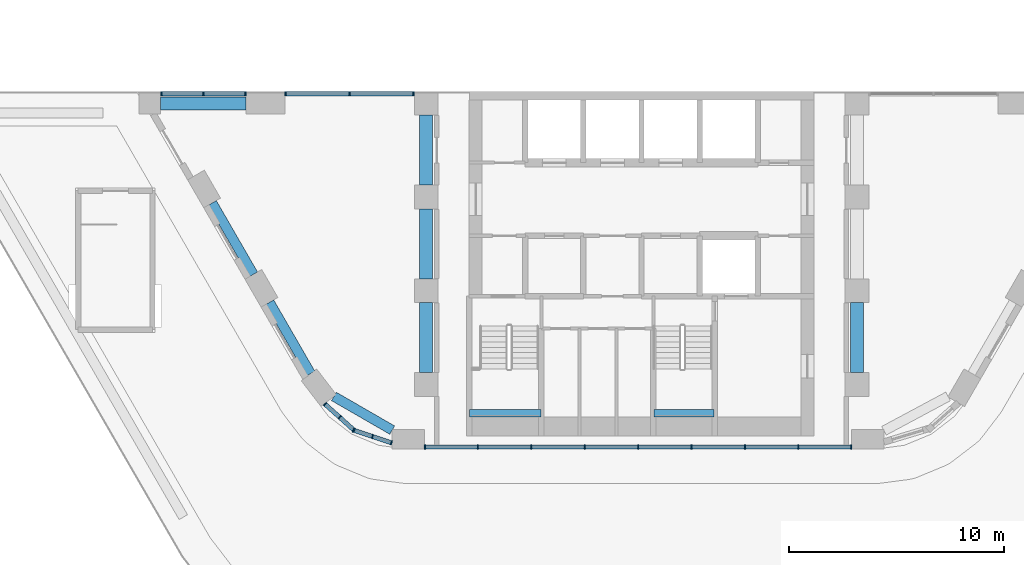
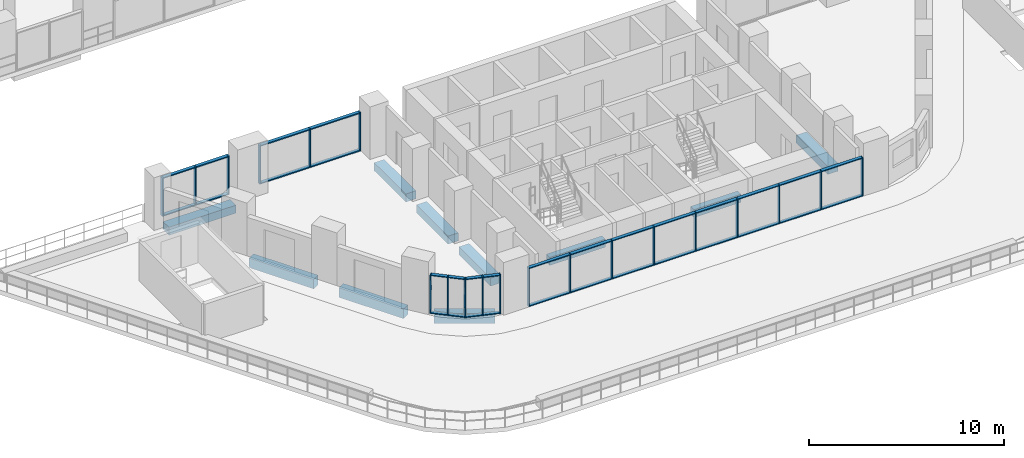
# One storey, part 2 of 24: 53 members, 10 beams, 5 elements without a shape of their own.
"""IFC4 building model written with IfcOpenShell, lengths in metres."""

from ifc_helpers import new_model, si_unit, direction, frame, origin, origin_2d, place, context, subcontext, project, spatial, rectangle, extrude, material, layer, layer_set, material_profile, profile_set, type_object, element, aggregate, save


model = new_model("IFC4")

# Units and contexts
model_context = context("Model", 3, precision=1e-05, world=origin(), true_north=direction((0.0, 1.0)))
body_context = subcontext(model_context, "Body", "Model", "MODEL_VIEW")
ifc_project = project(units=[si_unit("LENGTHUNIT", "METRE"), si_unit("AREAUNIT", "SQUARE_METRE"), si_unit("VOLUMEUNIT", "CUBIC_METRE"), si_unit("PLANEANGLEUNIT", "RADIAN"), si_unit("MASSUNIT", "GRAM", prefix="KILO")], contexts=[model_context])

# Site, building, storey
site_placement = place(None, origin())
site = spatial("IfcSite", under=ifc_project, at=site_placement, CompositionType="ELEMENT")
building_placement = place(site_placement, origin())
building = spatial("IfcBuilding", under=site, at=building_placement, Name="Nakaniwa Court", CompositionType="ELEMENT")
storey_placement = place(building_placement, frame((0.0, 0.0, 28.199951171875)))
storey = spatial("IfcBuildingStorey", under=building, at=storey_placement, Name="L06", CompositionType="ELEMENT", Elevation=28.199951171875)

# Curtain wall, members
ifc_material_1 = material(Name="Black anodised aluminium frame with dark low-E laminated double glazing", Category="aluminium")
ifc_layer_1 = layer(ifc_material_1, 0.199951171875)
ifc_layer_set_1 = layer_set([ifc_layer_1], Name="Black anodised aluminium frame with dark low-E laminated double glazing")
curtain_wall_type_1 = type_object("IfcCurtainWallType", Name="Amenity and sky level curtain wall", PredefinedType="NOTDEFINED", material=ifc_layer_set_1)
curtain_wall_1_placement = place(storey_placement, origin())
curtain_wall_1 = element("IfcCurtainWall", 1, at=curtain_wall_1_placement, inside=storey, type_object=curtain_wall_type_1, Name="L06 curtain wall CW3 09", PredefinedType="NOTDEFINED")
ifc_material_2 = material(Name="Black anodised aluminium extrusion", Category="aluminium")
ifc_material_profile_1 = material_profile(ifc_material_2, rectangle(XDim=0.199951171875, YDim=0.054931640625, at=origin_2d()), Name="Amenity and sky level curtain wall mullion 55x200")
ifc_profile_set_1 = profile_set([ifc_material_profile_1], Name="Black anodised aluminium extrusion")
member_type_1 = type_object("IfcMemberType", Name="Amenity and sky level curtain wall mullion 55x200", PredefinedType="MULLION", material=ifc_profile_set_1)
member_1_placement = place(storey_placement, frame((65.307373046875, 58.0869140625, 0.0), z_axis=(0.0, 0.0, 1.0), x_axis=(0.668652825377, 0.743574743463, 0.0)))
member_1 = element("IfcMember", 2, at=member_1_placement, type_object=member_type_1, Name="CW3 mullion 1", PredefinedType="MULLION", context=body_context, shape_type="SweptSolid", body=[
    extrude(rectangle(XDim=0.199951171875, YDim=0.054931640625, at=origin_2d()), origin(), (0.0, 0.0, 1.0), 2.425048828125),
])
member_2_placement = place(storey_placement, frame((65.985107421875, 57.4775390625, 0.0), z_axis=(0.0, 0.0, 1.0), x_axis=(0.668652825377, 0.743574743463, 0.0)))
member_2 = element("IfcMember", 3, at=member_2_placement, type_object=member_type_1, Name="CW3 mullion 2", PredefinedType="MULLION", context=body_context, shape_type="SweptSolid", body=[
    extrude(rectangle(XDim=0.199951171875, YDim=0.054931640625, at=origin_2d()), origin(), (0.0, 0.0, 1.0), 2.425048828125),
])
member_3_placement = place(storey_placement, frame((66.662841796875, 56.867919921875, 0.0), z_axis=(0.0, 0.0, 1.0), x_axis=(0.668652825377, 0.743574743463, 0.0)))
member_3 = element("IfcMember", 4, at=member_3_placement, type_object=member_type_1, Name="CW3 mullion 3", PredefinedType="MULLION", context=body_context, shape_type="SweptSolid", body=[
    extrude(rectangle(XDim=0.199951171875, YDim=0.054931640625, at=origin_2d()), origin(), (0.0, 0.0, 1.0), 2.425048828125),
])

curtain_wall_2_placement = place(storey_placement, origin())
curtain_wall_2 = element("IfcCurtainWall", 5, at=curtain_wall_2_placement, inside=storey, type_object=curtain_wall_type_1, Name="L06 curtain wall CW3 10", PredefinedType="NOTDEFINED")
member_4_placement = place(storey_placement, frame((66.634521484375, 56.876708984375, 0.0), z_axis=(0.0, 0.0, 1.0), x_axis=(0.314476047939, 0.949265408236, 0.0)))
member_4 = element("IfcMember", 6, at=member_4_placement, type_object=member_type_1, Name="CW3 mullion 1", PredefinedType="MULLION", context=body_context, shape_type="SweptSolid", body=[
    extrude(rectangle(XDim=0.199951171875, YDim=0.054931640625, at=origin_2d()), origin(), (0.0, 0.0, 1.0), 2.425048828125),
])
member_5_placement = place(storey_placement, frame((67.5107421875, 56.586181640625, 0.0), z_axis=(0.0, 0.0, 1.0), x_axis=(0.314476047939, 0.949265408236, 0.0)))
member_5 = element("IfcMember", 7, at=member_5_placement, type_object=member_type_1, Name="CW3 mullion 2", PredefinedType="MULLION", context=body_context, shape_type="SweptSolid", body=[
    extrude(rectangle(XDim=0.199951171875, YDim=0.054931640625, at=origin_2d()), origin(), (0.0, 0.0, 1.0), 2.425048828125),
])
member_6_placement = place(storey_placement, frame((68.38720703125, 56.2958984375, 0.0), z_axis=(0.0, 0.0, 1.0), x_axis=(0.314476047939, 0.949265408236, 0.0)))
member_6 = element("IfcMember", 8, at=member_6_placement, type_object=member_type_1, Name="CW3 mullion 3", PredefinedType="MULLION", context=body_context, shape_type="SweptSolid", body=[
    extrude(rectangle(XDim=0.199951171875, YDim=0.054931640625, at=origin_2d()), origin(), (0.0, 0.0, 1.0), 2.425048828125),
])

curtain_wall_3_placement = place(storey_placement, origin())
curtain_wall_3 = element("IfcCurtainWall", 9, at=curtain_wall_3_placement, inside=storey, type_object=curtain_wall_type_1, Name="L06 curtain wall CW3 11", PredefinedType="NOTDEFINED")
member_7_placement = place(storey_placement, frame((69.94873046875, 56.10009765625, 0.0), z_axis=(0.0, 0.0, 1.0), x_axis=(0.0, 1.0, 0.0)))
member_7 = element("IfcMember", 10, at=member_7_placement, type_object=member_type_1, Name="CW3 mullion 1", PredefinedType="MULLION", context=body_context, shape_type="SweptSolid", body=[
    extrude(rectangle(XDim=0.199951171875, YDim=0.054931640625, at=origin_2d()), origin(), (0.0, 0.0, 1.0), 2.425048828125),
])
member_8_placement = place(storey_placement, frame((72.4013671875, 56.10009765625, 0.0), z_axis=(0.0, 0.0, 1.0), x_axis=(0.0, 1.0, 0.0)))
member_8 = element("IfcMember", 11, at=member_8_placement, type_object=member_type_1, Name="CW3 mullion 2", PredefinedType="MULLION", context=body_context, shape_type="SweptSolid", body=[
    extrude(rectangle(XDim=0.199951171875, YDim=0.054931640625, at=origin_2d()), origin(), (0.0, 0.0, 1.0), 2.425048828125),
])
member_9_placement = place(storey_placement, frame((74.88134765625, 56.10009765625, 0.0), z_axis=(0.0, 0.0, 1.0), x_axis=(0.0, 1.0, 0.0)))
member_9 = element("IfcMember", 12, at=member_9_placement, type_object=member_type_1, Name="CW3 mullion 3", PredefinedType="MULLION", context=body_context, shape_type="SweptSolid", body=[
    extrude(rectangle(XDim=0.199951171875, YDim=0.054931640625, at=origin_2d()), origin(), (0.0, 0.0, 1.0), 2.425048828125),
])
member_10_placement = place(storey_placement, frame((77.361328125, 56.10009765625, 0.0), z_axis=(0.0, 0.0, 1.0), x_axis=(0.0, 1.0, 0.0)))
member_10 = element("IfcMember", 13, at=member_10_placement, type_object=member_type_1, Name="CW3 mullion 4", PredefinedType="MULLION", context=body_context, shape_type="SweptSolid", body=[
    extrude(rectangle(XDim=0.199951171875, YDim=0.054931640625, at=origin_2d()), origin(), (0.0, 0.0, 1.0), 2.425048828125),
])
member_11_placement = place(storey_placement, frame((79.84130859375, 56.10009765625, 0.0), z_axis=(0.0, 0.0, 1.0), x_axis=(0.0, 1.0, 0.0)))
member_11 = element("IfcMember", 14, at=member_11_placement, type_object=member_type_1, Name="CW3 mullion 5", PredefinedType="MULLION", context=body_context, shape_type="SweptSolid", body=[
    extrude(rectangle(XDim=0.199951171875, YDim=0.054931640625, at=origin_2d()), origin(), (0.0, 0.0, 1.0), 2.425048828125),
])
member_12_placement = place(storey_placement, frame((82.3212890625, 56.10009765625, 0.0), z_axis=(0.0, 0.0, 1.0), x_axis=(0.0, 1.0, 0.0)))
member_12 = element("IfcMember", 15, at=member_12_placement, type_object=member_type_1, Name="CW3 mullion 6", PredefinedType="MULLION", context=body_context, shape_type="SweptSolid", body=[
    extrude(rectangle(XDim=0.199951171875, YDim=0.054931640625, at=origin_2d()), origin(), (0.0, 0.0, 1.0), 2.425048828125),
])
member_13_placement = place(storey_placement, frame((84.80126953125, 56.10009765625, 0.0), z_axis=(0.0, 0.0, 1.0), x_axis=(0.0, 1.0, 0.0)))
member_13 = element("IfcMember", 16, at=member_13_placement, type_object=member_type_1, Name="CW3 mullion 7", PredefinedType="MULLION", context=body_context, shape_type="SweptSolid", body=[
    extrude(rectangle(XDim=0.199951171875, YDim=0.054931640625, at=origin_2d()), origin(), (0.0, 0.0, 1.0), 2.425048828125),
])
member_14_placement = place(storey_placement, frame((87.281005859375, 56.10009765625, 0.0), z_axis=(0.0, 0.0, 1.0), x_axis=(0.0, 1.0, 0.0)))
member_14 = element("IfcMember", 17, at=member_14_placement, type_object=member_type_1, Name="CW3 mullion 8", PredefinedType="MULLION", context=body_context, shape_type="SweptSolid", body=[
    extrude(rectangle(XDim=0.199951171875, YDim=0.054931640625, at=origin_2d()), origin(), (0.0, 0.0, 1.0), 2.425048828125),
])
member_15_placement = place(storey_placement, frame((89.733642578125, 56.10009765625, 0.0), z_axis=(0.0, 0.0, 1.0), x_axis=(0.0, 1.0, 0.0)))
member_15 = element("IfcMember", 18, at=member_15_placement, type_object=member_type_1, Name="CW3 mullion 9", PredefinedType="MULLION", context=body_context, shape_type="SweptSolid", body=[
    extrude(rectangle(XDim=0.199951171875, YDim=0.054931640625, at=origin_2d()), origin(), (0.0, 0.0, 1.0), 2.425048828125),
])

# Member
ifc_material_profile_2 = material_profile(ifc_material_2, rectangle(XDim=0.199951171875, YDim=0.054931640625, at=origin_2d()), Name="Amenity and sky level curtain wall transom 55x200")
ifc_profile_set_2 = profile_set([ifc_material_profile_2], Name="Black anodised aluminium extrusion")
member_type_2 = type_object("IfcMemberType", Name="Amenity and sky level curtain wall transom 55x200", PredefinedType="USERDEFINED", material=ifc_profile_set_2)
member_16_placement = place(storey_placement, frame((65.327880859375, 58.068603515625, 0.027587890625), z_axis=(0.743591680055, -0.668633990575, 0.0), x_axis=(0.668633990575, 0.743591680055, 0.0)))
member_16 = element("IfcMember", 19, at=member_16_placement, type_object=member_type_2, Name="CW3 transom 1.1", ObjectType="TRANSOM", PredefinedType="USERDEFINED", context=body_context, shape_type="SweptSolid", body=[
    extrude(rectangle(XDim=0.199951171875, YDim=0.054931640625, at=origin_2d()), origin(), (0.0, 0.0, 1.0), 0.856689453125),
])

member_17_placement = place(storey_placement, frame((65.327880859375, 58.068603515625, 2.3974609375), z_axis=(0.743591680055, -0.668633990575, 0.0), x_axis=(0.668633990575, 0.743591680055, 0.0)))
member_17 = element("IfcMember", 20, at=member_17_placement, type_object=member_type_2, Name="CW3 transom 1.2", ObjectType="TRANSOM", PredefinedType="USERDEFINED", context=body_context, shape_type="SweptSolid", body=[
    extrude(rectangle(XDim=0.199951171875, YDim=0.054931640625, at=origin_2d()), origin(), (0.0, 0.0, 1.0), 0.856689453125),
])

member_18_placement = place(storey_placement, frame((66.005615234375, 57.458984375, 0.027587890625), z_axis=(0.743733394782, -0.668476355218, 0.0), x_axis=(0.668476355218, 0.743733394782, 0.0)))
member_18 = element("IfcMember", 21, at=member_18_placement, type_object=member_type_2, Name="CW3 transom 2.1", ObjectType="TRANSOM", PredefinedType="USERDEFINED", context=body_context, shape_type="SweptSolid", body=[
    extrude(rectangle(XDim=0.199951171875, YDim=0.054931640625, at=origin_2d()), origin(), (0.0, 0.0, 1.0), 0.8564453125),
])

member_19_placement = place(storey_placement, frame((66.005615234375, 57.458984375, 2.3974609375), z_axis=(0.743733394782, -0.668476355218, 0.0), x_axis=(0.668476355218, 0.743733394782, 0.0)))
member_19 = element("IfcMember", 22, at=member_19_placement, type_object=member_type_2, Name="CW3 transom 2.2", ObjectType="TRANSOM", PredefinedType="USERDEFINED", context=body_context, shape_type="SweptSolid", body=[
    extrude(rectangle(XDim=0.199951171875, YDim=0.054931640625, at=origin_2d()), origin(), (0.0, 0.0, 1.0), 0.8564453125),
])

aggregate(curtain_wall_1, [member_1, member_2, member_3, member_16, member_17, member_18, member_19])

member_20_placement = place(storey_placement, frame((66.660400390625, 56.867919921875, 0.027587890625), z_axis=(0.949327881294, -0.314287406363, 0.0), x_axis=(0.314287406363, 0.949327881294, 0.0)))
member_20 = element("IfcMember", 23, at=member_20_placement, type_object=member_type_2, Name="CW3 transom 1.1", ObjectType="TRANSOM", PredefinedType="USERDEFINED", context=body_context, shape_type="SweptSolid", body=[
    extrude(rectangle(XDim=0.199951171875, YDim=0.054931640625, at=origin_2d()), origin(), (0.0, 0.0, 1.0), 0.868408203125),
])

member_21_placement = place(storey_placement, frame((66.660400390625, 56.867919921875, 2.3974609375), z_axis=(0.949327881294, -0.314287406363, 0.0), x_axis=(0.314287406363, 0.949327881294, 0.0)))
member_21 = element("IfcMember", 24, at=member_21_placement, type_object=member_type_2, Name="CW3 transom 1.2", ObjectType="TRANSOM", PredefinedType="USERDEFINED", context=body_context, shape_type="SweptSolid", body=[
    extrude(rectangle(XDim=0.199951171875, YDim=0.054931640625, at=origin_2d()), origin(), (0.0, 0.0, 1.0), 0.868408203125),
])

member_22_placement = place(storey_placement, frame((67.536865234375, 56.57763671875, 0.027587890625), z_axis=(0.949300102524, -0.314371301724, 0.0), x_axis=(0.314371301724, 0.949300102524, 0.0)))
member_22 = element("IfcMember", 25, at=member_22_placement, type_object=member_type_2, Name="CW3 transom 2.1", ObjectType="TRANSOM", PredefinedType="USERDEFINED", context=body_context, shape_type="SweptSolid", body=[
    extrude(rectangle(XDim=0.199951171875, YDim=0.054931640625, at=origin_2d()), origin(), (0.0, 0.0, 1.0), 0.8681640625),
])

member_23_placement = place(storey_placement, frame((67.536865234375, 56.57763671875, 2.3974609375), z_axis=(0.949300102524, -0.314371301724, 0.0), x_axis=(0.314371301724, 0.949300102524, 0.0)))
member_23 = element("IfcMember", 26, at=member_23_placement, type_object=member_type_2, Name="CW3 transom 2.2", ObjectType="TRANSOM", PredefinedType="USERDEFINED", context=body_context, shape_type="SweptSolid", body=[
    extrude(rectangle(XDim=0.199951171875, YDim=0.054931640625, at=origin_2d()), origin(), (0.0, 0.0, 1.0), 0.8681640625),
])

aggregate(curtain_wall_2, [member_4, member_5, member_6, member_20, member_21, member_22, member_23])

member_24_placement = place(storey_placement, frame((69.976318359375, 56.10009765625, 0.027587890625), z_axis=(1.0, 0.0, 0.0), x_axis=(0.0, 1.0, 0.0)))
member_24 = element("IfcMember", 27, at=member_24_placement, type_object=member_type_2, Name="CW3 transom 1.1", ObjectType="TRANSOM", PredefinedType="USERDEFINED", context=body_context, shape_type="SweptSolid", body=[
    extrude(rectangle(XDim=0.199951171875, YDim=0.054931640625, at=origin_2d()), origin(), (0.0, 0.0, 1.0), 2.3974609375),
])

member_25_placement = place(storey_placement, frame((69.976318359375, 56.10009765625, 2.3974609375), z_axis=(1.0, 0.0, 0.0), x_axis=(0.0, 1.0, 0.0)))
member_25 = element("IfcMember", 28, at=member_25_placement, type_object=member_type_2, Name="CW3 transom 1.2", ObjectType="TRANSOM", PredefinedType="USERDEFINED", context=body_context, shape_type="SweptSolid", body=[
    extrude(rectangle(XDim=0.199951171875, YDim=0.054931640625, at=origin_2d()), origin(), (0.0, 0.0, 1.0), 2.3974609375),
])

member_26_placement = place(storey_placement, frame((72.4287109375, 56.10009765625, 0.027587890625), z_axis=(1.0, 0.0, 0.0), x_axis=(0.0, 1.0, 0.0)))
member_26 = element("IfcMember", 29, at=member_26_placement, type_object=member_type_2, Name="CW3 transom 2.1", ObjectType="TRANSOM", PredefinedType="USERDEFINED", context=body_context, shape_type="SweptSolid", body=[
    extrude(rectangle(XDim=0.199951171875, YDim=0.054931640625, at=origin_2d()), origin(), (0.0, 0.0, 1.0), 2.425048828125),
])

member_27_placement = place(storey_placement, frame((72.4287109375, 56.10009765625, 2.3974609375), z_axis=(1.0, 0.0, 0.0), x_axis=(0.0, 1.0, 0.0)))
member_27 = element("IfcMember", 30, at=member_27_placement, type_object=member_type_2, Name="CW3 transom 2.2", ObjectType="TRANSOM", PredefinedType="USERDEFINED", context=body_context, shape_type="SweptSolid", body=[
    extrude(rectangle(XDim=0.199951171875, YDim=0.054931640625, at=origin_2d()), origin(), (0.0, 0.0, 1.0), 2.425048828125),
])

member_28_placement = place(storey_placement, frame((74.90869140625, 56.10009765625, 0.027587890625), z_axis=(1.0, 0.0, 0.0), x_axis=(0.0, 1.0, 0.0)))
member_28 = element("IfcMember", 31, at=member_28_placement, type_object=member_type_2, Name="CW3 transom 3.1", ObjectType="TRANSOM", PredefinedType="USERDEFINED", context=body_context, shape_type="SweptSolid", body=[
    extrude(rectangle(XDim=0.199951171875, YDim=0.054931640625, at=origin_2d()), origin(), (0.0, 0.0, 1.0), 2.425048828125),
])

member_29_placement = place(storey_placement, frame((74.90869140625, 56.10009765625, 2.3974609375), z_axis=(1.0, 0.0, 0.0), x_axis=(0.0, 1.0, 0.0)))
member_29 = element("IfcMember", 32, at=member_29_placement, type_object=member_type_2, Name="CW3 transom 3.2", ObjectType="TRANSOM", PredefinedType="USERDEFINED", context=body_context, shape_type="SweptSolid", body=[
    extrude(rectangle(XDim=0.199951171875, YDim=0.054931640625, at=origin_2d()), origin(), (0.0, 0.0, 1.0), 2.425048828125),
])

member_30_placement = place(storey_placement, frame((77.388671875, 56.10009765625, 0.027587890625), z_axis=(1.0, 0.0, 0.0), x_axis=(0.0, 1.0, 0.0)))
member_30 = element("IfcMember", 33, at=member_30_placement, type_object=member_type_2, Name="CW3 transom 4.1", ObjectType="TRANSOM", PredefinedType="USERDEFINED", context=body_context, shape_type="SweptSolid", body=[
    extrude(rectangle(XDim=0.199951171875, YDim=0.054931640625, at=origin_2d()), origin(), (0.0, 0.0, 1.0), 2.425048828125),
])

member_31_placement = place(storey_placement, frame((77.388671875, 56.10009765625, 2.3974609375), z_axis=(1.0, 0.0, 0.0), x_axis=(0.0, 1.0, 0.0)))
member_31 = element("IfcMember", 34, at=member_31_placement, type_object=member_type_2, Name="CW3 transom 4.2", ObjectType="TRANSOM", PredefinedType="USERDEFINED", context=body_context, shape_type="SweptSolid", body=[
    extrude(rectangle(XDim=0.199951171875, YDim=0.054931640625, at=origin_2d()), origin(), (0.0, 0.0, 1.0), 2.425048828125),
])

member_32_placement = place(storey_placement, frame((79.86865234375, 56.10009765625, 0.027587890625), z_axis=(1.0, 0.0, 0.0), x_axis=(0.0, 1.0, 0.0)))
member_32 = element("IfcMember", 35, at=member_32_placement, type_object=member_type_2, Name="CW3 transom 5.1", ObjectType="TRANSOM", PredefinedType="USERDEFINED", context=body_context, shape_type="SweptSolid", body=[
    extrude(rectangle(XDim=0.199951171875, YDim=0.054931640625, at=origin_2d()), origin(), (0.0, 0.0, 1.0), 2.425048828125),
])

member_33_placement = place(storey_placement, frame((79.86865234375, 56.10009765625, 2.3974609375), z_axis=(1.0, 0.0, 0.0), x_axis=(0.0, 1.0, 0.0)))
member_33 = element("IfcMember", 36, at=member_33_placement, type_object=member_type_2, Name="CW3 transom 5.2", ObjectType="TRANSOM", PredefinedType="USERDEFINED", context=body_context, shape_type="SweptSolid", body=[
    extrude(rectangle(XDim=0.199951171875, YDim=0.054931640625, at=origin_2d()), origin(), (0.0, 0.0, 1.0), 2.425048828125),
])

member_34_placement = place(storey_placement, frame((82.3486328125, 56.10009765625, 0.027587890625), z_axis=(1.0, 0.0, 0.0), x_axis=(0.0, 1.0, 0.0)))
member_34 = element("IfcMember", 37, at=member_34_placement, type_object=member_type_2, Name="CW3 transom 6.1", ObjectType="TRANSOM", PredefinedType="USERDEFINED", context=body_context, shape_type="SweptSolid", body=[
    extrude(rectangle(XDim=0.199951171875, YDim=0.054931640625, at=origin_2d()), origin(), (0.0, 0.0, 1.0), 2.425048828125),
])

member_35_placement = place(storey_placement, frame((82.3486328125, 56.10009765625, 2.3974609375), z_axis=(1.0, 0.0, 0.0), x_axis=(0.0, 1.0, 0.0)))
member_35 = element("IfcMember", 38, at=member_35_placement, type_object=member_type_2, Name="CW3 transom 6.2", ObjectType="TRANSOM", PredefinedType="USERDEFINED", context=body_context, shape_type="SweptSolid", body=[
    extrude(rectangle(XDim=0.199951171875, YDim=0.054931640625, at=origin_2d()), origin(), (0.0, 0.0, 1.0), 2.425048828125),
])

member_36_placement = place(storey_placement, frame((84.82861328125, 56.10009765625, 0.027587890625), z_axis=(1.0, 0.0, 0.0), x_axis=(0.0, 1.0, 0.0)))
member_36 = element("IfcMember", 39, at=member_36_placement, type_object=member_type_2, Name="CW3 transom 7.1", ObjectType="TRANSOM", PredefinedType="USERDEFINED", context=body_context, shape_type="SweptSolid", body=[
    extrude(rectangle(XDim=0.199951171875, YDim=0.054931640625, at=origin_2d()), origin(), (0.0, 0.0, 1.0), 2.425048828125),
])

member_37_placement = place(storey_placement, frame((84.82861328125, 56.10009765625, 2.3974609375), z_axis=(1.0, 0.0, 0.0), x_axis=(0.0, 1.0, 0.0)))
member_37 = element("IfcMember", 40, at=member_37_placement, type_object=member_type_2, Name="CW3 transom 7.2", ObjectType="TRANSOM", PredefinedType="USERDEFINED", context=body_context, shape_type="SweptSolid", body=[
    extrude(rectangle(XDim=0.199951171875, YDim=0.054931640625, at=origin_2d()), origin(), (0.0, 0.0, 1.0), 2.425048828125),
])

member_38_placement = place(storey_placement, frame((87.30859375, 56.10009765625, 0.027587890625), z_axis=(1.0, 0.0, 0.0), x_axis=(0.0, 1.0, 0.0)))
member_38 = element("IfcMember", 41, at=member_38_placement, type_object=member_type_2, Name="CW3 transom 8.1", ObjectType="TRANSOM", PredefinedType="USERDEFINED", context=body_context, shape_type="SweptSolid", body=[
    extrude(rectangle(XDim=0.199951171875, YDim=0.054931640625, at=origin_2d()), origin(), (0.0, 0.0, 1.0), 2.3974609375),
])

member_39_placement = place(storey_placement, frame((87.30859375, 56.10009765625, 2.3974609375), z_axis=(1.0, 0.0, 0.0), x_axis=(0.0, 1.0, 0.0)))
member_39 = element("IfcMember", 42, at=member_39_placement, type_object=member_type_2, Name="CW3 transom 8.2", ObjectType="TRANSOM", PredefinedType="USERDEFINED", context=body_context, shape_type="SweptSolid", body=[
    extrude(rectangle(XDim=0.199951171875, YDim=0.054931640625, at=origin_2d()), origin(), (0.0, 0.0, 1.0), 2.3974609375),
])

aggregate(curtain_wall_3, [member_7, member_8, member_9, member_10, member_11, member_12, member_13, member_14, member_15, member_24, member_25, member_26, member_27, member_28, member_29, member_30, member_31, member_32, member_33, member_34, member_35, member_36, member_37, member_38, member_39])

# Beams
ifc_material_3 = material(Name="Concrete C100/115", Category="concrete")
ifc_material_profile_3 = material_profile(ifc_material_3, rectangle(XDim=0.449951171875, YDim=0.60009765625, at=origin_2d()), Name="Concrete C100/115 RC 450x600 spandrel beam")
ifc_profile_set_3 = profile_set([ifc_material_profile_3], Name="Concrete C100/115")
beam_type_1 = type_object("IfcBeamType", Name="Concrete C100/115 RC 450x600 spandrel beam", PredefinedType="BEAM", material=ifc_profile_set_3)
beam_1_placement = place(storey_placement, frame((60.066650390625, 67.42578125, -0.574951171875), z_axis=(0.499961815444, -0.866047448526, 0.0), x_axis=(0.866047448526, 0.499961815444, 0.0)))
element("IfcBeam", 43, at=beam_1_placement, inside=storey, type_object=beam_type_1, Name="SPANDREL BEAM", PredefinedType="BEAM", context=body_context, shape_type="SweptSolid", body=[
    extrude(rectangle(XDim=0.449951171875, YDim=0.60009765625, at=origin_2d()), origin(), (0.0, 0.0, 1.0), 3.825927734375),
])
beam_2_placement = place(storey_placement, frame((62.7294921875, 62.8134765625, -0.574951171875), z_axis=(0.500023067617, -0.86601208528, 0.0), x_axis=(0.86601208528, 0.500023067617, 0.0)))
element("IfcBeam", 44, at=beam_2_placement, inside=storey, type_object=beam_type_1, Name="SPANDREL BEAM", PredefinedType="BEAM", context=body_context, shape_type="SweptSolid", body=[
    extrude(rectangle(XDim=0.449951171875, YDim=0.60009765625, at=origin_2d()), origin(), (0.0, 0.0, 1.0), 3.819580078125),
])
beam_3_placement = place(storey_placement, frame((65.720458984375, 58.444580078125, -0.574951171875), z_axis=(0.866041096587, -0.499972818284, 0.0), x_axis=(0.499972818284, 0.866041096587, 0.0)))
element("IfcBeam", 45, at=beam_3_placement, inside=storey, type_object=beam_type_1, Name="SPANDREL BEAM", PredefinedType="BEAM", context=body_context, shape_type="SweptSolid", body=[
    extrude(rectangle(XDim=0.449951171875, YDim=0.60009765625, at=origin_2d()), origin(), (0.0, 0.0, 1.0), 3.123291015625),
])
ifc_material_profile_4 = material_profile(ifc_material_3, rectangle(XDim=0.60009765625, YDim=0.5, at=origin_2d()), Name="Concrete C100/115 RC 600x500 ring beam")
ifc_profile_set_4 = profile_set([ifc_material_profile_4], Name="Concrete C100/115")
beam_type_2 = type_object("IfcBeamType", Name="Concrete C100/115 RC 600x500 ring beam", PredefinedType="BEAM", material=ifc_profile_set_4)
for number, where, z_axis, x_axis, name in (
    (46, (90.0, 59.550048828125, -0.52490234375), (0.0, 1.0, 0.0), (-1.0, 0.0, 0.0), "RING BEAM"),
    (47, (70.0, 71.5, -0.52490234375), (0.0, -1.0, 0.0), (1.0, 0.0, 0.0), "RING BEAM"),
    (48, (70.0, 67.14990234375, -0.52490234375), (0.0, -1.0, 0.0), (1.0, 0.0, 0.0), "RING BEAM"),
    (49, (70.0, 62.800048828125, -0.52490234375), (0.0, -1.0, 0.0), (1.0, 0.0, 0.0), "RING BEAM"),
):
    element("IfcBeam", number, at=place(storey_placement, frame(where, z_axis=z_axis, x_axis=x_axis)), inside=storey, type_object=beam_type_2, Name=name, PredefinedType="BEAM", context=body_context, shape_type="SweptSolid", body=[
        extrude(rectangle(XDim=0.60009765625, YDim=0.5, at=origin_2d()), origin(), (0.0, 0.0, 1.0), 3.25),
    ])
beam_4_placement = place(storey_placement, frame((57.677001953125, 72.050048828125, -0.52490234375), z_axis=(1.0, 0.0, 0.0), x_axis=(0.0, 1.0, 0.0)))
element("IfcBeam", 50, at=beam_4_placement, inside=storey, type_object=beam_type_2, Name="RING BEAM", PredefinedType="BEAM", context=body_context, shape_type="SweptSolid", body=[
    extrude(rectangle(XDim=0.60009765625, YDim=0.5, at=origin_2d()), origin(), (0.0, 0.0, 1.0), 3.965087890625),
])
ifc_material_4 = material(Name="Concrete C80/100", Category="concrete")
ifc_material_profile_5 = material_profile(ifc_material_4, rectangle(XDim=0.35009765625, YDim=0.5, at=origin_2d()), Name="Concrete C80/100 RC 350x500 landing ledge beam")
ifc_profile_set_5 = profile_set([ifc_material_profile_5], Name="Concrete C80/100")
beam_type_3 = type_object("IfcBeamType", Name="Concrete C80/100 RC 350x500 landing ledge beam", PredefinedType="BEAM", material=ifc_profile_set_5)
beam_5_placement = place(storey_placement, frame((72.02490234375, 57.675048828125, 1.199951171875), z_axis=(1.0, 0.0, 0.0), x_axis=(0.0, 1.0, 0.0)))
element("IfcBeam", 51, at=beam_5_placement, inside=storey, type_object=beam_type_3, Name="LANDING LEDGE BEAM", PredefinedType="BEAM", context=body_context, shape_type="SweptSolid", body=[
    extrude(rectangle(XDim=0.35009765625, YDim=0.5, at=origin_2d()), origin(), (0.0, 0.0, 1.0), 3.300048828125),
])
beam_6_placement = place(storey_placement, frame((80.574951171875, 57.675048828125, 1.199951171875), z_axis=(1.0, 0.0, 0.0), x_axis=(0.0, 1.0, 0.0)))
element("IfcBeam", 52, at=beam_6_placement, inside=storey, type_object=beam_type_3, Name="LANDING LEDGE BEAM", PredefinedType="BEAM", context=body_context, shape_type="SweptSolid", body=[
    extrude(rectangle(XDim=0.35009765625, YDim=0.5, at=origin_2d()), origin(), (0.0, 0.0, 1.0), 2.800048828125),
])

# Curtain wall, members
ifc_layer_2 = layer(ifc_material_1, 0.199951171875)
ifc_layer_set_2 = layer_set([ifc_layer_2], Name="Black anodised aluminium frame with dark low-E laminated double glazing")
curtain_wall_type_2 = type_object("IfcCurtainWallType", Name="Portal side curtain wall", PredefinedType="NOTDEFINED", material=ifc_layer_set_2)
curtain_wall_4_placement = place(storey_placement, origin())
curtain_wall_4 = element("IfcCurtainWall", 53, at=curtain_wall_4_placement, inside=storey, type_object=curtain_wall_type_2, Name="L06 curtain wall CW5 04", PredefinedType="NOTDEFINED")
ifc_material_profile_6 = material_profile(ifc_material_2, rectangle(XDim=0.199951171875, YDim=0.074951171875, at=origin_2d()), Name="Portal side curtain wall mullion 75x200")
ifc_profile_set_6 = profile_set([ifc_material_profile_6], Name="Black anodised aluminium extrusion")
member_type_3 = type_object("IfcMemberType", Name="Portal side curtain wall mullion 75x200", PredefinedType="MULLION", material=ifc_profile_set_6)
member_40_placement = place(storey_placement, frame((69.41650390625, 72.5, 0.0), z_axis=(0.0, 0.0, 1.0), x_axis=(0.0, -1.0, 0.0)))
member_40 = element("IfcMember", 54, at=member_40_placement, type_object=member_type_3, Name="CW5 mullion 1", PredefinedType="MULLION", context=body_context, shape_type="SweptSolid", body=[
    extrude(rectangle(XDim=0.199951171875, YDim=0.074951171875, at=origin_2d()), origin(), (0.0, 0.0, 1.0), 2.425048828125),
])
member_41_placement = place(storey_placement, frame((66.446044921875, 72.5, 0.0), z_axis=(0.0, 0.0, 1.0), x_axis=(0.0, -1.0, 0.0)))
member_41 = element("IfcMember", 55, at=member_41_placement, type_object=member_type_3, Name="CW5 mullion 2", PredefinedType="MULLION", context=body_context, shape_type="SweptSolid", body=[
    extrude(rectangle(XDim=0.199951171875, YDim=0.074951171875, at=origin_2d()), origin(), (0.0, 0.0, 1.0), 2.425048828125),
])
member_42_placement = place(storey_placement, frame((63.4755859375, 72.5, 0.0), z_axis=(0.0, 0.0, 1.0), x_axis=(0.0, -1.0, 0.0)))
member_42 = element("IfcMember", 56, at=member_42_placement, type_object=member_type_3, Name="CW5 mullion 3", PredefinedType="MULLION", context=body_context, shape_type="SweptSolid", body=[
    extrude(rectangle(XDim=0.199951171875, YDim=0.074951171875, at=origin_2d()), origin(), (0.0, 0.0, 1.0), 2.425048828125),
])

curtain_wall_5_placement = place(storey_placement, origin())
curtain_wall_5 = element("IfcCurtainWall", 57, at=curtain_wall_5_placement, inside=storey, type_object=curtain_wall_type_2, Name="L06 curtain wall CW5 05", PredefinedType="NOTDEFINED")
member_43_placement = place(storey_placement, frame((61.6083984375, 72.5, 0.0), z_axis=(0.0, 0.0, 1.0), x_axis=(0.0, -1.0, 0.0)))
member_43 = element("IfcMember", 58, at=member_43_placement, type_object=member_type_3, Name="CW5 mullion 1", PredefinedType="MULLION", context=body_context, shape_type="SweptSolid", body=[
    extrude(rectangle(XDim=0.199951171875, YDim=0.074951171875, at=origin_2d()), origin(), (0.0, 0.0, 1.0), 2.425048828125),
])
member_44_placement = place(storey_placement, frame((59.659423828125, 72.5, 0.0), z_axis=(0.0, 0.0, 1.0), x_axis=(0.0, -1.0, 0.0)))
member_44 = element("IfcMember", 59, at=member_44_placement, type_object=member_type_3, Name="CW5 mullion 2", PredefinedType="MULLION", context=body_context, shape_type="SweptSolid", body=[
    extrude(rectangle(XDim=0.199951171875, YDim=0.074951171875, at=origin_2d()), origin(), (0.0, 0.0, 1.0), 2.425048828125),
])
member_45_placement = place(storey_placement, frame((57.71044921875, 72.5, 0.0), z_axis=(0.0, 0.0, 1.0), x_axis=(0.0, -1.0, 0.0)))
member_45 = element("IfcMember", 60, at=member_45_placement, type_object=member_type_3, Name="CW5 mullion 3", PredefinedType="MULLION", context=body_context, shape_type="SweptSolid", body=[
    extrude(rectangle(XDim=0.199951171875, YDim=0.074951171875, at=origin_2d()), origin(), (0.0, 0.0, 1.0), 2.425048828125),
])

# Member
ifc_material_profile_7 = material_profile(ifc_material_2, rectangle(XDim=0.199951171875, YDim=0.06494140625, at=origin_2d()), Name="Portal side curtain wall transom 65x200")
ifc_profile_set_7 = profile_set([ifc_material_profile_7], Name="Black anodised aluminium extrusion")
member_type_4 = type_object("IfcMemberType", Name="Portal side curtain wall transom 65x200", PredefinedType="USERDEFINED", material=ifc_profile_set_7)
member_46_placement = place(storey_placement, frame((69.37890625, 72.5, 0.032470703125), z_axis=(-1.0, 0.0, 0.0), x_axis=(0.0, -1.0, 0.0)))
member_46 = element("IfcMember", 61, at=member_46_placement, type_object=member_type_4, Name="CW5 transom 1.1", ObjectType="TRANSOM", PredefinedType="USERDEFINED", context=body_context, shape_type="SweptSolid", body=[
    extrude(rectangle(XDim=0.199951171875, YDim=0.06494140625, at=origin_2d()), origin(), (0.0, 0.0, 1.0), 2.8955078125),
])

member_47_placement = place(storey_placement, frame((69.37890625, 72.5, 2.392578125), z_axis=(-1.0, 0.0, 0.0), x_axis=(0.0, -1.0, 0.0)))
member_47 = element("IfcMember", 62, at=member_47_placement, type_object=member_type_4, Name="CW5 transom 1.2", ObjectType="TRANSOM", PredefinedType="USERDEFINED", context=body_context, shape_type="SweptSolid", body=[
    extrude(rectangle(XDim=0.199951171875, YDim=0.06494140625, at=origin_2d()), origin(), (0.0, 0.0, 1.0), 2.8955078125),
])

member_48_placement = place(storey_placement, frame((66.408447265625, 72.5, 0.032470703125), z_axis=(-1.0, 0.0, 0.0), x_axis=(0.0, -1.0, 0.0)))
member_48 = element("IfcMember", 63, at=member_48_placement, type_object=member_type_4, Name="CW5 transom 2.1", ObjectType="TRANSOM", PredefinedType="USERDEFINED", context=body_context, shape_type="SweptSolid", body=[
    extrude(rectangle(XDim=0.199951171875, YDim=0.06494140625, at=origin_2d()), origin(), (0.0, 0.0, 1.0), 2.8955078125),
])

member_49_placement = place(storey_placement, frame((66.408447265625, 72.5, 2.392578125), z_axis=(-1.0, 0.0, 0.0), x_axis=(0.0, -1.0, 0.0)))
member_49 = element("IfcMember", 64, at=member_49_placement, type_object=member_type_4, Name="CW5 transom 2.2", ObjectType="TRANSOM", PredefinedType="USERDEFINED", context=body_context, shape_type="SweptSolid", body=[
    extrude(rectangle(XDim=0.199951171875, YDim=0.06494140625, at=origin_2d()), origin(), (0.0, 0.0, 1.0), 2.8955078125),
])

aggregate(curtain_wall_4, [member_40, member_41, member_42, member_46, member_47, member_48, member_49])

member_50_placement = place(storey_placement, frame((61.571044921875, 72.5, 0.032470703125), z_axis=(-1.0, 0.0, 0.0), x_axis=(0.0, -1.0, 0.0)))
member_50 = element("IfcMember", 65, at=member_50_placement, type_object=member_type_4, Name="CW5 transom 1.1", ObjectType="TRANSOM", PredefinedType="USERDEFINED", context=body_context, shape_type="SweptSolid", body=[
    extrude(rectangle(XDim=0.199951171875, YDim=0.06494140625, at=origin_2d()), origin(), (0.0, 0.0, 1.0), 1.8740234375),
])

member_51_placement = place(storey_placement, frame((61.571044921875, 72.5, 2.392578125), z_axis=(-1.0, 0.0, 0.0), x_axis=(0.0, -1.0, 0.0)))
member_51 = element("IfcMember", 66, at=member_51_placement, type_object=member_type_4, Name="CW5 transom 1.2", ObjectType="TRANSOM", PredefinedType="USERDEFINED", context=body_context, shape_type="SweptSolid", body=[
    extrude(rectangle(XDim=0.199951171875, YDim=0.06494140625, at=origin_2d()), origin(), (0.0, 0.0, 1.0), 1.8740234375),
])

member_52_placement = place(storey_placement, frame((59.6220703125, 72.5, 0.032470703125), z_axis=(-1.0, 0.0, 0.0), x_axis=(0.0, -1.0, 0.0)))
member_52 = element("IfcMember", 67, at=member_52_placement, type_object=member_type_4, Name="CW5 transom 2.1", ObjectType="TRANSOM", PredefinedType="USERDEFINED", context=body_context, shape_type="SweptSolid", body=[
    extrude(rectangle(XDim=0.199951171875, YDim=0.06494140625, at=origin_2d()), origin(), (0.0, 0.0, 1.0), 1.8740234375),
])

member_53_placement = place(storey_placement, frame((59.6220703125, 72.5, 2.392578125), z_axis=(-1.0, 0.0, 0.0), x_axis=(0.0, -1.0, 0.0)))
member_53 = element("IfcMember", 68, at=member_53_placement, type_object=member_type_4, Name="CW5 transom 2.2", ObjectType="TRANSOM", PredefinedType="USERDEFINED", context=body_context, shape_type="SweptSolid", body=[
    extrude(rectangle(XDim=0.199951171875, YDim=0.06494140625, at=origin_2d()), origin(), (0.0, 0.0, 1.0), 1.8740234375),
])

aggregate(curtain_wall_5, [member_43, member_44, member_45, member_50, member_51, member_52, member_53])

save(model, "model.ifc")
